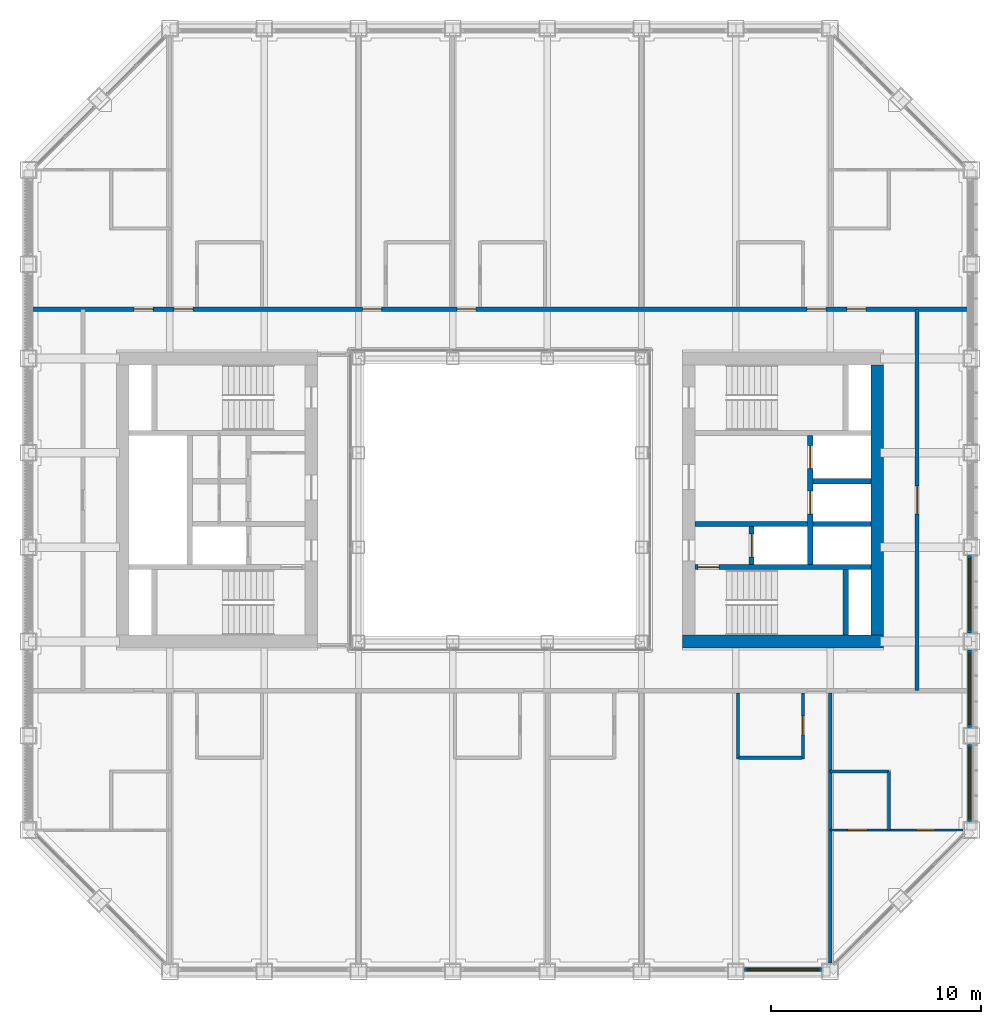
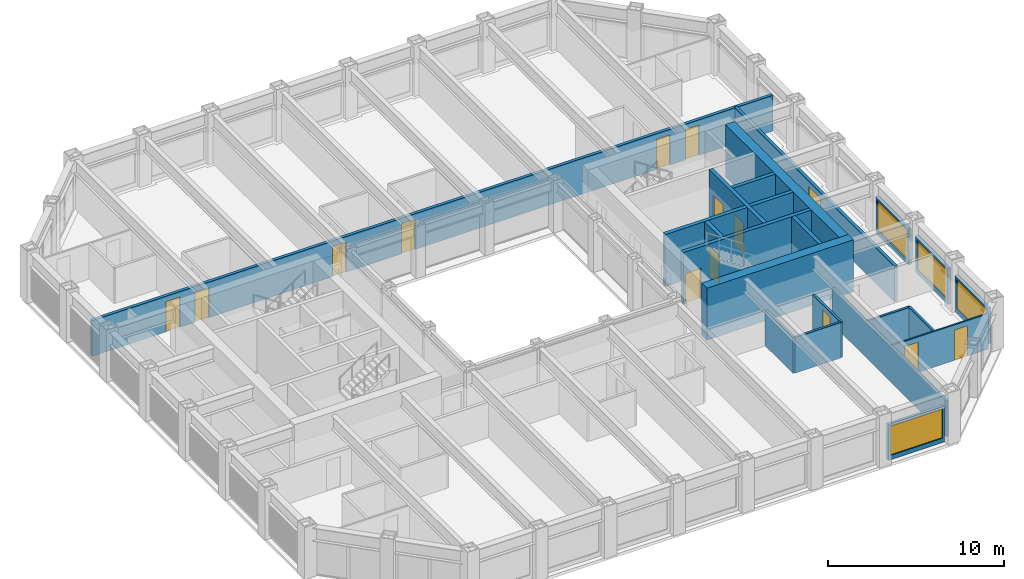
# One storey, part 12 of 17: 22 walls, 14 doors, 4 windows, 18 openings.
"""IFC4 building model written with IfcOpenShell, lengths in metres."""

from ifc_helpers import new_model, si_unit, direction, frame, frame_2d, origin, place, context, subcontext, project, spatial, rectangle, extrude, material, layer, layer_set, type_object, element, fill, save


model = new_model("IFC4")

# Units and contexts
model_context = context("Model", 3, precision=1e-05, world=origin(), true_north=direction((0.0, 1.0)))
body_context = subcontext(model_context, "Body", "Model", "MODEL_VIEW")
ifc_project = project(units=[si_unit("LENGTHUNIT", "METRE"), si_unit("AREAUNIT", "SQUARE_METRE"), si_unit("VOLUMEUNIT", "CUBIC_METRE"), si_unit("PLANEANGLEUNIT", "RADIAN"), si_unit("MASSUNIT", "GRAM", prefix="KILO")], contexts=[model_context])

# Site, building, storey
site_placement = place(None, origin())
site = spatial("IfcSite", under=ifc_project, at=site_placement, CompositionType="ELEMENT")
building_placement = place(site_placement, origin())
building = spatial("IfcBuilding", under=site, at=building_placement, Name="Msasa Ring Tower", CompositionType="ELEMENT")
storey_placement = place(building_placement, frame((0.0, 0.0, 161.60009765625)))
storey = spatial("IfcBuildingStorey", under=building, at=storey_placement, Name="L42", CompositionType="ELEMENT", Elevation=161.60009765625)

# Walls
ifc_material_1 = material(Name="Concrete C60/75", Category="concrete")
ifc_layer_1 = layer(ifc_material_1, 0.60009765625)
ifc_layer_set_1 = layer_set([ifc_layer_1], Name="CW2 CORE WALL 600")
wall_type_1 = type_object("IfcWallType", Name="CW2 CORE WALL 600", PredefinedType="SHEAR", material=ifc_layer_set_1)
wall_1_placement = place(storey_placement, frame((8.699951171875, -6.75, 0.0), z_axis=(0.0, 0.0, 1.0), x_axis=(1.0, 0.0, 0.0)))
element("IfcWall", 1, at=wall_1_placement, inside=storey, type_object=wall_type_1, Name="E core wall S L42", PredefinedType="SHEAR", context=body_context, shape_type="SweptSolid", body=[
    extrude(rectangle(XDim=9.60009765625, YDim=0.60009765625, at=frame_2d((4.800048828125, 0.0))), origin(), (0.0, 0.0, 1.0), 3.599853515625),
])
wall_2_placement = place(storey_placement, frame((18.0, -6.449951171875, 0.0), z_axis=(0.0, 0.0, 1.0), x_axis=(0.0, 1.0, 0.0)))
element("IfcWall", 2, at=wall_2_placement, inside=storey, type_object=wall_type_1, Name="E core wall E L42", PredefinedType="SHEAR", context=body_context, shape_type="SweptSolid", body=[
    extrude(rectangle(XDim=12.89990234375, YDim=0.60009765625, at=frame_2d((6.449951171875, 0.0))), origin(), (0.0, 0.0, 1.0), 3.599853515625),
])

# Wall, opening, door
ifc_material_2 = material(Name="Concrete C60/75", Category="concrete")
ifc_layer_2 = layer(ifc_material_2, 0.25)
ifc_layer_set_2 = layer_set([ifc_layer_2], Name="CW4 CORE INNER WALL 250")
wall_type_2 = type_object("IfcWallType", Name="CW4 CORE INNER WALL 250", PredefinedType="SHEAR", material=ifc_layer_set_2)
wall_3_placement = place(storey_placement, frame((9.300048828125, -3.199951171875, 0.0), z_axis=(0.0, 0.0, 1.0), x_axis=(1.0, 0.0, 0.0)))
wall_3 = element("IfcWall", 3, at=wall_3_placement, inside=storey, type_object=wall_type_2, Name="E core wall STAIRA L42", PredefinedType="SHEAR", context=body_context, shape_type="SweptSolid", body=[
    extrude(rectangle(XDim=8.39990234375, YDim=0.25, at=frame_2d((4.199951171875, 0.0))), origin(), (0.0, 0.0, 1.0), 3.599853515625),
])
opening_1_placement = place(wall_3_placement, frame((0.14990234375, 0.0, 0.0)))
opening_1 = element("IfcOpeningElement", 4, at=opening_1_placement, cuts=wall_3, Name="Opening HE-030", PredefinedType="OPENING", context=body_context, shape_type="SweptSolid", body=[
    extrude(rectangle(XDim=1.0, YDim=2.10009765625, at=frame_2d((0.5, 1.050048828125))), frame((0.0, 0.135009765625, 0.0), z_axis=(0.0, -1.0, 0.0), x_axis=(1.0, 0.0, 0.0)), (0.0, 0.0, 1.0), 0.27001953125),
])
ifc_material_3 = material(Name="Timber door leaf in a steel frame", Category="steel")
door_type_1 = type_object("IfcDoorType", Name="D6 STAIR DOOR 1000x2100", OperationType="SINGLE_SWING_LEFT", PredefinedType="DOOR", material=ifc_material_3)
door_1_placement = place(opening_1_placement, origin())
door_1 = element("IfcDoor", 5, at=door_1_placement, inside=storey, type_object=door_type_1, Name="Door L42-ESTA", OperationType="SINGLE_SWING_LEFT", OverallHeight=2.10009765625, OverallWidth=1.0, PredefinedType="DOOR", context=body_context, shape_type="SweptSolid", body=[
    extrude(rectangle(XDim=1.0, YDim=2.10009765625, at=frame_2d((0.5, 1.050048828125))), frame((0.0, 0.02490234375, 0.0), z_axis=(0.0, -1.0, 0.0), x_axis=(1.0, 0.0, 0.0)), (0.0, 0.0, 1.0), 0.050048828125),
])
fill(opening_1, door_1)

# Walls
wall_4_placement = place(storey_placement, frame((16.5, -6.449951171875, 0.0), z_axis=(0.0, 0.0, 1.0), x_axis=(0.0, 1.0, 0.0)))
element("IfcWall", 6, at=wall_4_placement, inside=storey, type_object=wall_type_2, Name="E core wall RISERA L42", PredefinedType="SHEAR", context=body_context, shape_type="SweptSolid", body=[
    extrude(rectangle(XDim=3.125, YDim=0.25, at=frame_2d((1.5625, 0.0))), origin(), (0.0, 0.0, 1.0), 3.599853515625),
])
wall_5_placement = place(storey_placement, frame((9.300048828125, -1.14990234375, 0.0), z_axis=(0.0, 0.0, 1.0), x_axis=(1.0, 0.0, 0.0)))
element("IfcWall", 7, at=wall_5_placement, inside=storey, type_object=wall_type_2, Name="E core wall FFL L42", PredefinedType="SHEAR", context=body_context, shape_type="SweptSolid", body=[
    extrude(rectangle(XDim=5.375, YDim=0.25, at=frame_2d((2.6875, 0.0))), origin(), (0.0, 0.0, 1.0), 3.599853515625),
])

# Wall, opening, door
wall_6_placement = place(storey_placement, frame((12.0, -3.074951171875, 0.0), z_axis=(0.0, 0.0, 1.0), x_axis=(0.0, 1.0, 0.0)))
wall_6 = element("IfcWall", 8, at=wall_6_placement, inside=storey, type_object=wall_type_2, Name="E core wall LOBBY L42", PredefinedType="SHEAR", context=body_context, shape_type="SweptSolid", body=[
    extrude(rectangle(XDim=1.800048828125, YDim=0.25, at=frame_2d((0.89990234375, 0.0))), origin(), (0.0, 0.0, 1.0), 3.599853515625),
])
opening_2_placement = place(wall_6_placement, frame((0.35009765625, 0.0, 0.0)))
opening_2 = element("IfcOpeningElement", 9, at=opening_2_placement, cuts=wall_6, Name="Opening LD1", PredefinedType="OPENING", context=body_context, shape_type="SweptSolid", body=[
    extrude(rectangle(XDim=1.10009765625, YDim=2.10009765625, at=frame_2d((0.550048828125, 1.050048828125))), frame((0.0, 0.135009765625, 0.0), z_axis=(0.0, -1.0, 0.0), x_axis=(1.0, 0.0, 0.0)), (0.0, 0.0, 1.0), 0.27001953125),
])
ifc_material_4 = material(Name="Stainless steel lift landing door", Category="steel")
door_type_2 = type_object("IfcDoorType", Name="LD1 LIFT LANDING DOOR 1100x2100", OperationType="DOUBLE_DOOR_SLIDING", PredefinedType="DOOR", material=ifc_material_4)
door_2_placement = place(opening_2_placement, origin())
door_2 = element("IfcDoor", 10, at=door_2_placement, inside=storey, type_object=door_type_2, Name="Lift landing door FL-E L42", OperationType="DOUBLE_DOOR_SLIDING", OverallHeight=2.10009765625, OverallWidth=1.10009765625, PredefinedType="DOOR", context=body_context, shape_type="SweptSolid", body=[
    extrude(rectangle(XDim=1.10009765625, YDim=2.10009765625, at=frame_2d((0.550048828125, 1.050048828125))), frame((0.0, 0.02490234375, 0.0), z_axis=(0.0, -1.0, 0.0), x_axis=(1.0, 0.0, 0.0)), (0.0, 0.0, 1.0), 0.050048828125),
])
fill(opening_2, door_2)

# Wall, openings, doors
wall_7_placement = place(storey_placement, frame((14.800048828125, -3.074951171875, 0.0), z_axis=(0.0, 0.0, 1.0), x_axis=(0.0, 1.0, 0.0)))
wall_7 = element("IfcWall", 11, at=wall_7_placement, inside=storey, type_object=wall_type_2, Name="E core wall SHAFT L42", PredefinedType="SHEAR", context=body_context, shape_type="SweptSolid", body=[
    extrude(rectangle(XDim=6.14990234375, YDim=0.25, at=frame_2d((3.074951171875, 0.0))), origin(), (0.0, 0.0, 1.0), 3.599853515625),
])
opening_3_placement = place(wall_7_placement, frame((2.39990234375, 0.0, 0.0)))
opening_3 = element("IfcOpeningElement", 12, at=opening_3_placement, cuts=wall_7, Name="Opening LD1", PredefinedType="OPENING", context=body_context, shape_type="SweptSolid", body=[
    extrude(rectangle(XDim=1.10009765625, YDim=2.10009765625, at=frame_2d((0.550048828125, 1.050048828125))), frame((0.0, 0.135009765625, 0.0), z_axis=(0.0, -1.0, 0.0), x_axis=(1.0, 0.0, 0.0)), (0.0, 0.0, 1.0), 0.27001953125),
])
opening_4_placement = place(wall_7_placement, frame((4.574951171875, 0.0, 0.0)))
opening_4 = element("IfcOpeningElement", 13, at=opening_4_placement, cuts=wall_7, Name="Opening LD1", PredefinedType="OPENING", context=body_context, shape_type="SweptSolid", body=[
    extrude(rectangle(XDim=1.10009765625, YDim=2.10009765625, at=frame_2d((0.550048828125, 1.050048828125))), frame((0.0, 0.135009765625, 0.0), z_axis=(0.0, -1.0, 0.0), x_axis=(1.0, 0.0, 0.0)), (0.0, 0.0, 1.0), 0.27001953125),
])
door_3_placement = place(opening_3_placement, origin())
door_3 = element("IfcDoor", 14, at=door_3_placement, inside=storey, type_object=door_type_2, Name="Lift landing door PL-H1 L42", OperationType="DOUBLE_DOOR_SLIDING", OverallHeight=2.10009765625, OverallWidth=1.10009765625, PredefinedType="DOOR", context=body_context, shape_type="SweptSolid", body=[
    extrude(rectangle(XDim=1.10009765625, YDim=2.10009765625, at=frame_2d((0.550048828125, 1.050048828125))), frame((0.0, 0.02490234375, 0.0), z_axis=(0.0, -1.0, 0.0), x_axis=(1.0, 0.0, 0.0)), (0.0, 0.0, 1.0), 0.050048828125),
])
fill(opening_3, door_3)
door_4_placement = place(opening_4_placement, origin())
door_4 = element("IfcDoor", 15, at=door_4_placement, inside=storey, type_object=door_type_2, Name="Lift landing door PL-H2 L42", OperationType="DOUBLE_DOOR_SLIDING", OverallHeight=2.10009765625, OverallWidth=1.10009765625, PredefinedType="DOOR", context=body_context, shape_type="SweptSolid", body=[
    extrude(rectangle(XDim=1.10009765625, YDim=2.10009765625, at=frame_2d((0.550048828125, 1.050048828125))), frame((0.0, 0.02490234375, 0.0), z_axis=(0.0, -1.0, 0.0), x_axis=(1.0, 0.0, 0.0)), (0.0, 0.0, 1.0), 0.050048828125),
])
fill(opening_4, door_4)

# Walls
for number, where, z_axis, x_axis, name in (
    (16, (14.925048828125, -1.14990234375, 0.0), (0.0, 0.0, 1.0), (1.0, 0.0, 0.0), "E core wall HSEP L42"),
    (17, (14.925048828125, 0.89990234375, 0.0), (0.0, 0.0, 1.0), (1.0, 0.0, 0.0), "E core wall HLIFT L42"),
):
    element("IfcWall", number, at=place(storey_placement, frame(where, z_axis=z_axis, x_axis=x_axis)), inside=storey, type_object=wall_type_2, Name=name, PredefinedType="SHEAR", context=body_context, shape_type="SweptSolid", body=[
        extrude(rectangle(XDim=2.77490234375, YDim=0.25, at=frame_2d((1.387451171875, 0.0))), origin(), (0.0, 0.0, 1.0), 3.599853515625),
    ])

# Wall, opening, window
ifc_material_5 = material(Name="Terracotta rainscreen on blockwork", Category="masonry")
ifc_layer_3 = layer(ifc_material_5, 0.199951171875)
ifc_layer_set_3 = layer_set([ifc_layer_3], Name="FW1 TERRACOTTA-LINED INFILL BAY WALL 200")
wall_type_3 = type_object("IfcWallType", Name="FW1 TERRACOTTA-LINED INFILL BAY WALL 200", PredefinedType="SOLIDWALL", material=ifc_layer_set_3)
wall_8_placement = place(storey_placement, frame((11.655029296875, -22.39990234375, 0.0), z_axis=(0.0, 0.0, 1.0), x_axis=(1.0, 0.0, 0.0)))
wall_8 = element("IfcWall", 18, at=wall_8_placement, inside=storey, type_object=wall_type_3, Name="Infill bay wall S L42 06", PredefinedType="SOLIDWALL", context=body_context, shape_type="SweptSolid", body=[
    extrude(rectangle(XDim=3.68994140625, YDim=0.199951171875, at=frame_2d((1.844970703125, 0.0))), origin(), (0.0, 0.0, 1.0), 2.47900390625),
])
opening_5_placement = place(wall_8_placement, frame((0.14501953125, 0.0, 0.300048828125)))
opening_5 = element("IfcOpeningElement", 19, at=opening_5_placement, cuts=wall_8, Name="Opening WN2", PredefinedType="OPENING", context=body_context, shape_type="SweptSolid", body=[
    extrude(rectangle(XDim=3.39990234375, YDim=2.029052734375, at=frame_2d((1.699951171875, 1.0146484375))), frame((0.0, 0.10986328125, 0.0), z_axis=(0.0, -1.0, 0.0), x_axis=(1.0, 0.0, 0.0)), (0.0, 0.0, 1.0), 0.219970703125),
])
ifc_material_6 = material(Name="Aluminium frame with clear glass", Category="aluminium")
window_type = type_object("IfcWindowType", Name="WN2 GUEST ROOM WINDOW 3400x2029", PartitioningType="SINGLE_PANEL", PredefinedType="WINDOW", material=ifc_material_6)
window_1_placement = place(opening_5_placement, origin())
window_1 = element("IfcWindow", 20, at=window_1_placement, inside=storey, type_object=window_type, Name="Window S L42 06", OverallHeight=2.029052734375, OverallWidth=3.39990234375, PartitioningType="SINGLE_PANEL", PredefinedType="WINDOW", context=body_context, shape_type="SweptSolid", body=[
    extrude(rectangle(XDim=3.39990234375, YDim=2.029052734375, at=frame_2d((1.699951171875, 1.0146484375))), frame((0.0, 0.030029296875, 0.0), z_axis=(0.0, -1.0, 0.0), x_axis=(1.0, 0.0, 0.0)), (0.0, 0.0, 1.0), 0.06005859375),
])
fill(opening_5, window_1)

wall_9_placement = place(storey_placement, frame((22.39990234375, -15.344970703125, 0.0), z_axis=(0.0, 0.0, 1.0), x_axis=(0.0, 1.0, 0.0)))
wall_9 = element("IfcWall", 21, at=wall_9_placement, inside=storey, type_object=wall_type_3, Name="Infill bay wall E L42 09", PredefinedType="SOLIDWALL", context=body_context, shape_type="SweptSolid", body=[
    extrude(rectangle(XDim=3.68994140625, YDim=0.199951171875, at=frame_2d((1.844970703125, 0.0))), origin(), (0.0, 0.0, 1.0), 2.47900390625),
])
opening_6_placement = place(wall_9_placement, frame((0.14501953125, 0.0, 0.300048828125)))
opening_6 = element("IfcOpeningElement", 22, at=opening_6_placement, cuts=wall_9, Name="Opening WN2", PredefinedType="OPENING", context=body_context, shape_type="SweptSolid", body=[
    extrude(rectangle(XDim=3.39990234375, YDim=2.029052734375, at=frame_2d((1.699951171875, 1.0146484375))), frame((0.0, 0.10986328125, 0.0), z_axis=(0.0, -1.0, 0.0), x_axis=(1.0, 0.0, 0.0)), (0.0, 0.0, 1.0), 0.219970703125),
])
window_2_placement = place(opening_6_placement, origin())
window_2 = element("IfcWindow", 23, at=window_2_placement, inside=storey, type_object=window_type, Name="Window E L42 09", OverallHeight=2.029052734375, OverallWidth=3.39990234375, PartitioningType="SINGLE_PANEL", PredefinedType="WINDOW", context=body_context, shape_type="SweptSolid", body=[
    extrude(rectangle(XDim=3.39990234375, YDim=2.029052734375, at=frame_2d((1.699951171875, 1.0146484375))), frame((0.0, 0.030029296875, 0.0), z_axis=(0.0, -1.0, 0.0), x_axis=(1.0, 0.0, 0.0)), (0.0, 0.0, 1.0), 0.06005859375),
])
fill(opening_6, window_2)

wall_10_placement = place(storey_placement, frame((22.39990234375, -10.844970703125, 0.0), z_axis=(0.0, 0.0, 1.0), x_axis=(0.0, 1.0, 0.0)))
wall_10 = element("IfcWall", 24, at=wall_10_placement, inside=storey, type_object=wall_type_3, Name="Infill bay wall E L42 10", PredefinedType="SOLIDWALL", context=body_context, shape_type="SweptSolid", body=[
    extrude(rectangle(XDim=3.68994140625, YDim=0.199951171875, at=frame_2d((1.844970703125, 0.0))), origin(), (0.0, 0.0, 1.0), 2.47900390625),
])
opening_7_placement = place(wall_10_placement, frame((0.14501953125, 0.0, 0.300048828125)))
opening_7 = element("IfcOpeningElement", 25, at=opening_7_placement, cuts=wall_10, Name="Opening WN2", PredefinedType="OPENING", context=body_context, shape_type="SweptSolid", body=[
    extrude(rectangle(XDim=3.39990234375, YDim=2.029052734375, at=frame_2d((1.699951171875, 1.0146484375))), frame((0.0, 0.10986328125, 0.0), z_axis=(0.0, -1.0, 0.0), x_axis=(1.0, 0.0, 0.0)), (0.0, 0.0, 1.0), 0.219970703125),
])
window_3_placement = place(opening_7_placement, origin())
window_3 = element("IfcWindow", 26, at=window_3_placement, inside=storey, type_object=window_type, Name="Window E L42 10", OverallHeight=2.029052734375, OverallWidth=3.39990234375, PartitioningType="SINGLE_PANEL", PredefinedType="WINDOW", context=body_context, shape_type="SweptSolid", body=[
    extrude(rectangle(XDim=3.39990234375, YDim=2.029052734375, at=frame_2d((1.699951171875, 1.0146484375))), frame((0.0, 0.030029296875, 0.0), z_axis=(0.0, -1.0, 0.0), x_axis=(1.0, 0.0, 0.0)), (0.0, 0.0, 1.0), 0.06005859375),
])
fill(opening_7, window_3)

wall_11_placement = place(storey_placement, frame((22.39990234375, -6.344970703125, 0.0), z_axis=(0.0, 0.0, 1.0), x_axis=(0.0, 1.0, 0.0)))
wall_11 = element("IfcWall", 27, at=wall_11_placement, inside=storey, type_object=wall_type_3, Name="Infill bay wall E L42 11", PredefinedType="SOLIDWALL", context=body_context, shape_type="SweptSolid", body=[
    extrude(rectangle(XDim=3.68994140625, YDim=0.199951171875, at=frame_2d((1.844970703125, 0.0))), origin(), (0.0, 0.0, 1.0), 2.47900390625),
])
opening_8_placement = place(wall_11_placement, frame((0.14501953125, 0.0, 0.300048828125)))
opening_8 = element("IfcOpeningElement", 28, at=opening_8_placement, cuts=wall_11, Name="Opening WN2", PredefinedType="OPENING", context=body_context, shape_type="SweptSolid", body=[
    extrude(rectangle(XDim=3.39990234375, YDim=2.029052734375, at=frame_2d((1.699951171875, 1.0146484375))), frame((0.0, 0.10986328125, 0.0), z_axis=(0.0, -1.0, 0.0), x_axis=(1.0, 0.0, 0.0)), (0.0, 0.0, 1.0), 0.219970703125),
])
window_4_placement = place(opening_8_placement, origin())
window_4 = element("IfcWindow", 29, at=window_4_placement, inside=storey, type_object=window_type, Name="Window E L42 11", OverallHeight=2.029052734375, OverallWidth=3.39990234375, PartitioningType="SINGLE_PANEL", PredefinedType="WINDOW", context=body_context, shape_type="SweptSolid", body=[
    extrude(rectangle(XDim=3.39990234375, YDim=2.029052734375, at=frame_2d((1.699951171875, 1.0146484375))), frame((0.0, 0.030029296875, 0.0), z_axis=(0.0, -1.0, 0.0), x_axis=(1.0, 0.0, 0.0)), (0.0, 0.0, 1.0), 0.06005859375),
])
fill(opening_8, window_4)

# Wall, openings, doors
ifc_material_7 = material(Name="Concrete blockwork", Category="masonry")
ifc_layer_4 = layer(ifc_material_7, 0.199951171875)
ifc_layer_set_4 = layer_set([ifc_layer_4], Name="PT1 CORRIDOR WALL 200")
wall_type_4 = type_object("IfcWallType", Name="PT1 CORRIDOR WALL 200", PredefinedType="PARTITIONING", material=ifc_layer_set_4)
wall_12_placement = place(storey_placement, frame((-22.300048828125, 9.10009765625, 0.0), z_axis=(0.0, 0.0, 1.0), x_axis=(1.0, 0.0, 0.0)))
wall_12 = element("IfcWall", 30, at=wall_12_placement, inside=storey, type_object=wall_type_4, Name="Corridor wall L42-CORRN0", PredefinedType="PARTITIONING", context=body_context, shape_type="SweptSolid", body=[
    extrude(rectangle(XDim=44.60009765625, YDim=0.199951171875, at=frame_2d((22.300048828125, 0.0))), origin(), (0.0, 0.0, 1.0), 2.473388671875),
])
opening_9_placement = place(wall_12_placement, frame((6.75, 0.0, 0.0)))
opening_9 = element("IfcOpeningElement", 31, at=opening_9_placement, cuts=wall_12, Name="Opening HE-010", PredefinedType="OPENING", context=body_context, shape_type="SweptSolid", body=[
    extrude(rectangle(XDim=0.89990234375, YDim=2.10009765625, at=frame_2d((0.449951171875, 1.050048828125))), frame((0.0, 0.10986328125, 0.0), z_axis=(0.0, -1.0, 0.0), x_axis=(1.0, 0.0, 0.0)), (0.0, 0.0, 1.0), 0.219970703125),
])
opening_10_placement = place(wall_12_placement, frame((15.75, 0.0, 0.0)))
opening_10 = element("IfcOpeningElement", 32, at=opening_10_placement, cuts=wall_12, Name="Opening HE-011", PredefinedType="OPENING", context=body_context, shape_type="SweptSolid", body=[
    extrude(rectangle(XDim=0.89990234375, YDim=2.10009765625, at=frame_2d((0.449951171875, 1.050048828125))), frame((0.0, 0.10986328125, 0.0), z_axis=(0.0, -1.0, 0.0), x_axis=(1.0, 0.0, 0.0)), (0.0, 0.0, 1.0), 0.219970703125),
])
opening_11_placement = place(wall_12_placement, frame((20.25, 0.0, 0.0)))
opening_11 = element("IfcOpeningElement", 33, at=opening_11_placement, cuts=wall_12, Name="Opening HE-012", PredefinedType="OPENING", context=body_context, shape_type="SweptSolid", body=[
    extrude(rectangle(XDim=0.89990234375, YDim=2.10009765625, at=frame_2d((0.449951171875, 1.050048828125))), frame((0.0, 0.10986328125, 0.0), z_axis=(0.0, -1.0, 0.0), x_axis=(1.0, 0.0, 0.0)), (0.0, 0.0, 1.0), 0.219970703125),
])
opening_12_placement = place(wall_12_placement, frame((36.949951171875, 0.0, 0.0)))
opening_12 = element("IfcOpeningElement", 34, at=opening_12_placement, cuts=wall_12, Name="Opening HE-013", PredefinedType="OPENING", context=body_context, shape_type="SweptSolid", body=[
    extrude(rectangle(XDim=0.89990234375, YDim=2.10009765625, at=frame_2d((0.449951171875, 1.050048828125))), frame((0.0, 0.10986328125, 0.0), z_axis=(0.0, -1.0, 0.0), x_axis=(1.0, 0.0, 0.0)), (0.0, 0.0, 1.0), 0.219970703125),
])
opening_13_placement = place(wall_12_placement, frame((38.85009765625, 0.0, 0.0)))
opening_13 = element("IfcOpeningElement", 35, at=opening_13_placement, cuts=wall_12, Name="Opening HE-014", PredefinedType="OPENING", context=body_context, shape_type="SweptSolid", body=[
    extrude(rectangle(XDim=0.89990234375, YDim=2.10009765625, at=frame_2d((0.449951171875, 1.050048828125))), frame((0.0, 0.10986328125, 0.0), z_axis=(0.0, -1.0, 0.0), x_axis=(1.0, 0.0, 0.0)), (0.0, 0.0, 1.0), 0.219970703125),
])
opening_14_placement = place(wall_12_placement, frame((4.85009765625, 0.0, 0.0)))
opening_14 = element("IfcOpeningElement", 36, at=opening_14_placement, cuts=wall_12, Name="Opening HE-009", PredefinedType="OPENING", context=body_context, shape_type="SweptSolid", body=[
    extrude(rectangle(XDim=0.89990234375, YDim=2.10009765625, at=frame_2d((0.449951171875, 1.050048828125))), frame((0.0, 0.10986328125, 0.0), z_axis=(0.0, -1.0, 0.0), x_axis=(1.0, 0.0, 0.0)), (0.0, 0.0, 1.0), 0.219970703125),
])
ifc_material_8 = material(Name="Timber door leaf in a steel frame", Category="steel")
door_type_3 = type_object("IfcDoorType", Name="D1 SINGLE DOOR TO CORRIDOR 900x2100", OperationType="SINGLE_SWING_LEFT", PredefinedType="DOOR", material=ifc_material_8)
door_5_placement = place(opening_9_placement, origin())
door_5 = element("IfcDoor", 37, at=door_5_placement, inside=storey, type_object=door_type_3, Name="Door L42-GN00", OperationType="SINGLE_SWING_LEFT", OverallHeight=2.10009765625, OverallWidth=0.89990234375, PredefinedType="DOOR", context=body_context, shape_type="SweptSolid", body=[
    extrude(rectangle(XDim=0.89990234375, YDim=2.10009765625, at=frame_2d((0.449951171875, 1.050048828125))), frame((0.0, 0.02490234375, 0.0), z_axis=(0.0, -1.0, 0.0), x_axis=(1.0, 0.0, 0.0)), (0.0, 0.0, 1.0), 0.050048828125),
])
fill(opening_9, door_5)
door_6_placement = place(opening_10_placement, origin())
door_6 = element("IfcDoor", 38, at=door_6_placement, inside=storey, type_object=door_type_3, Name="Door L42-GN01", OperationType="SINGLE_SWING_LEFT", OverallHeight=2.10009765625, OverallWidth=0.89990234375, PredefinedType="DOOR", context=body_context, shape_type="SweptSolid", body=[
    extrude(rectangle(XDim=0.89990234375, YDim=2.10009765625, at=frame_2d((0.449951171875, 1.050048828125))), frame((0.0, 0.02490234375, 0.0), z_axis=(0.0, -1.0, 0.0), x_axis=(1.0, 0.0, 0.0)), (0.0, 0.0, 1.0), 0.050048828125),
])
fill(opening_10, door_6)
door_7_placement = place(opening_11_placement, origin())
door_7 = element("IfcDoor", 39, at=door_7_placement, inside=storey, type_object=door_type_3, Name="Door L42-GN02", OperationType="SINGLE_SWING_LEFT", OverallHeight=2.10009765625, OverallWidth=0.89990234375, PredefinedType="DOOR", context=body_context, shape_type="SweptSolid", body=[
    extrude(rectangle(XDim=0.89990234375, YDim=2.10009765625, at=frame_2d((0.449951171875, 1.050048828125))), frame((0.0, 0.02490234375, 0.0), z_axis=(0.0, -1.0, 0.0), x_axis=(1.0, 0.0, 0.0)), (0.0, 0.0, 1.0), 0.050048828125),
])
fill(opening_11, door_7)
door_8_placement = place(opening_12_placement, origin())
door_8 = element("IfcDoor", 40, at=door_8_placement, inside=storey, type_object=door_type_3, Name="Door L42-GN03", OperationType="SINGLE_SWING_RIGHT", OverallHeight=2.10009765625, OverallWidth=0.89990234375, PredefinedType="DOOR", context=body_context, shape_type="SweptSolid", body=[
    extrude(rectangle(XDim=0.89990234375, YDim=2.10009765625, at=frame_2d((0.449951171875, 1.050048828125))), frame((0.0, 0.02490234375, 0.0), z_axis=(0.0, -1.0, 0.0), x_axis=(1.0, 0.0, 0.0)), (0.0, 0.0, 1.0), 0.050048828125),
])
fill(opening_12, door_8)
ifc_material_9 = material(Name="Timber door leaf in a steel frame", Category="steel")
door_type_4 = type_object("IfcDoorType", Name="D2 ENTRANCE DOOR 900x2100", OperationType="SINGLE_SWING_LEFT", PredefinedType="DOOR", material=ifc_material_9)
door_9_placement = place(opening_13_placement, origin())
door_9 = element("IfcDoor", 41, at=door_9_placement, inside=storey, type_object=door_type_4, Name="Door L42-CSNE", OperationType="SINGLE_SWING_RIGHT", OverallHeight=2.10009765625, OverallWidth=0.89990234375, PredefinedType="DOOR", context=body_context, shape_type="SweptSolid", body=[
    extrude(rectangle(XDim=0.89990234375, YDim=2.10009765625, at=frame_2d((0.449951171875, 1.050048828125))), frame((0.0, 0.02490234375, 0.0), z_axis=(0.0, -1.0, 0.0), x_axis=(1.0, 0.0, 0.0)), (0.0, 0.0, 1.0), 0.050048828125),
])
fill(opening_13, door_9)
door_10_placement = place(opening_14_placement, origin())
door_10 = element("IfcDoor", 42, at=door_10_placement, inside=storey, type_object=door_type_4, Name="Door L42-CSNW", OperationType="SINGLE_SWING_LEFT", OverallHeight=2.10009765625, OverallWidth=0.89990234375, PredefinedType="DOOR", context=body_context, shape_type="SweptSolid", body=[
    extrude(rectangle(XDim=0.89990234375, YDim=2.10009765625, at=frame_2d((0.449951171875, 1.050048828125))), frame((0.0, 0.02490234375, 0.0), z_axis=(0.0, -1.0, 0.0), x_axis=(1.0, 0.0, 0.0)), (0.0, 0.0, 1.0), 0.050048828125),
])
fill(opening_14, door_10)

# Wall, opening, door
wall_13_placement = place(storey_placement, frame((19.89990234375, -9.10009765625, 0.0), z_axis=(0.0, 0.0, 1.0), x_axis=(0.0, 1.0, 0.0)))
wall_13 = element("IfcWall", 43, at=wall_13_placement, inside=storey, type_object=wall_type_4, Name="Corridor wall L42-STRE", PredefinedType="PARTITIONING", context=body_context, shape_type="SweptSolid", body=[
    extrude(rectangle(XDim=18.2001953125, YDim=0.199951171875, at=frame_2d((9.10009765625, 0.0))), origin(), (0.0, 0.0, 1.0), 2.473388671875),
])
opening_15_placement = place(wall_13_placement, frame((8.425048828125, 0.0, 0.0)))
opening_15 = element("IfcOpeningElement", 44, at=opening_15_placement, cuts=wall_13, Name="Opening HE-024", PredefinedType="OPENING", context=body_context, shape_type="SweptSolid", body=[
    extrude(rectangle(XDim=1.35009765625, YDim=2.10009765625, at=frame_2d((0.675048828125, 1.050048828125))), frame((0.0, 0.10986328125, 0.0), z_axis=(0.0, -1.0, 0.0), x_axis=(1.0, 0.0, 0.0)), (0.0, 0.0, 1.0), 0.219970703125),
])
ifc_material_10 = material(Name="Timber door leaf in a steel frame", Category="steel")
door_type_5 = type_object("IfcDoorType", Name="D23 HOUSEKEEPING UNEQUAL PAIR OF DOORS 1350x2100", OperationType="SINGLE_SWING_LEFT", PredefinedType="DOOR", material=ifc_material_10)
door_11_placement = place(opening_15_placement, origin())
door_11 = element("IfcDoor", 45, at=door_11_placement, inside=storey, type_object=door_type_5, Name="Door L42-HKE", OperationType="SINGLE_SWING_LEFT", OverallHeight=2.10009765625, OverallWidth=1.35009765625, PredefinedType="DOOR", context=body_context, shape_type="SweptSolid", body=[
    extrude(rectangle(XDim=1.35009765625, YDim=2.10009765625, at=frame_2d((0.675048828125, 1.050048828125))), frame((0.0, 0.02490234375, 0.0), z_axis=(0.0, -1.0, 0.0), x_axis=(1.0, 0.0, 0.0)), (0.0, 0.0, 1.0), 0.050048828125),
])
fill(opening_15, door_11)

# Wall, openings, doors
ifc_material_11 = material(Name="Gypsum board on steel studs", Category="steel")
ifc_layer_5 = layer(ifc_material_11, 0.10009765625)
ifc_layer_set_5 = layer_set([ifc_layer_5], Name="PT2 STUD PARTITION 100")
wall_type_5 = type_object("IfcWallType", Name="PT2 STUD PARTITION 100", PredefinedType="PARTITIONING", material=ifc_layer_set_5)
wall_14_placement = place(storey_placement, frame((15.75, -15.75, 0.0), z_axis=(0.0, 0.0, 1.0), x_axis=(1.0, 0.0, 0.0)))
wall_14 = element("IfcWall", 46, at=wall_14_placement, inside=storey, type_object=wall_type_5, Name="Partition L42-CSSEX", PredefinedType="PARTITIONING", context=body_context, shape_type="SweptSolid", body=[
    extrude(rectangle(XDim=6.35009765625, YDim=0.10009765625, at=frame_2d((3.175048828125, 0.0))), origin(), (0.0, 0.0, 1.0), 2.473388671875),
])
opening_16_placement = place(wall_14_placement, frame((4.125, 0.0, 0.0)))
opening_16 = element("IfcOpeningElement", 47, at=opening_16_placement, cuts=wall_14, Name="Opening HE-045", PredefinedType="OPENING", context=body_context, shape_type="SweptSolid", body=[
    extrude(rectangle(XDim=0.85009765625, YDim=2.10009765625, at=frame_2d((0.425048828125, 1.050048828125))), frame((0.0, 0.06005859375, 0.0), z_axis=(0.0, -1.0, 0.0), x_axis=(1.0, 0.0, 0.0)), (0.0, 0.0, 1.0), 0.1201171875),
])
opening_17_placement = place(wall_14_placement, frame((0.85009765625, 0.0, 0.0)))
opening_17 = element("IfcOpeningElement", 48, at=opening_17_placement, cuts=wall_14, Name="Opening HE-044", PredefinedType="OPENING", context=body_context, shape_type="SweptSolid", body=[
    extrude(rectangle(XDim=0.89990234375, YDim=2.10009765625, at=frame_2d((0.449951171875, 1.050048828125))), frame((0.0, 0.06005859375, 0.0), z_axis=(0.0, -1.0, 0.0), x_axis=(1.0, 0.0, 0.0)), (0.0, 0.0, 1.0), 0.1201171875),
])
ifc_material_12 = material(Name="Timber door leaf in a steel frame", Category="steel")
door_type_6 = type_object("IfcDoorType", Name="D14 BEDROOM DOOR 850x2100", OperationType="SINGLE_SWING_LEFT", PredefinedType="DOOR", material=ifc_material_12)
door_12_placement = place(opening_16_placement, origin())
door_12 = element("IfcDoor", 49, at=door_12_placement, inside=storey, type_object=door_type_6, Name="Door L42-CSSER1", OperationType="SINGLE_SWING_RIGHT", OverallHeight=2.10009765625, OverallWidth=0.85009765625, PredefinedType="DOOR", context=body_context, shape_type="SweptSolid", body=[
    extrude(rectangle(XDim=0.85009765625, YDim=2.10009765625, at=frame_2d((0.425048828125, 1.050048828125))), frame((0.0, 0.02490234375, 0.0), z_axis=(0.0, -1.0, 0.0), x_axis=(1.0, 0.0, 0.0)), (0.0, 0.0, 1.0), 0.050048828125),
])
fill(opening_16, door_12)
ifc_material_13 = material(Name="Timber door leaf in a steel frame", Category="steel")
door_type_7 = type_object("IfcDoorType", Name="D3 BATHROOM DOOR 900x2100", OperationType="SINGLE_SWING_LEFT", PredefinedType="DOOR", material=ifc_material_13)
door_13_placement = place(opening_17_placement, origin())
door_13 = element("IfcDoor", 50, at=door_13_placement, inside=storey, type_object=door_type_7, Name="Door L42-CSSEB1", OperationType="SINGLE_SWING_LEFT", OverallHeight=2.10009765625, OverallWidth=0.89990234375, PredefinedType="DOOR", context=body_context, shape_type="SweptSolid", body=[
    extrude(rectangle(XDim=0.89990234375, YDim=2.10009765625, at=frame_2d((0.449951171875, 1.050048828125))), frame((0.0, 0.02490234375, 0.0), z_axis=(0.0, -1.0, 0.0), x_axis=(1.0, 0.0, 0.0)), (0.0, 0.0, 1.0), 0.050048828125),
])
fill(opening_17, door_13)

# Wall, opening, door
ifc_material_14 = material(Name="Moisture-resistant board on steel studs with a concealed cistern and pipe void, tiled", Category="steel")
ifc_layer_6 = layer(ifc_material_14, 0.14990234375)
ifc_layer_set_6 = layer_set([ifc_layer_6], Name="PT4 BATHROOM WET WALL 150")
wall_type_6 = type_object("IfcWallType", Name="PT4 BATHROOM WET WALL 150", PredefinedType="PARTITIONING", material=ifc_layer_set_6)
wall_15_placement = place(storey_placement, frame((14.449951171875, -12.35009765625, 0.0), z_axis=(0.0, 0.0, 1.0), x_axis=(0.0, 1.0, 0.0)))
wall_15 = element("IfcWall", 51, at=wall_15_placement, inside=storey, type_object=wall_type_6, Name="Partition L42-GS03BX", PredefinedType="PARTITIONING", context=body_context, shape_type="SweptSolid", body=[
    extrude(rectangle(XDim=3.150146484375, YDim=0.14990234375, at=frame_2d((1.5751953125, 0.0))), origin(), (0.0, 0.0, 1.0), 2.473388671875),
])
opening_18_placement = place(wall_15_placement, frame((1.14990234375, 0.0, 0.0)))
opening_18 = element("IfcOpeningElement", 52, at=opening_18_placement, cuts=wall_15, Name="Opening HE-041", PredefinedType="OPENING", context=body_context, shape_type="SweptSolid", body=[
    extrude(rectangle(XDim=0.89990234375, YDim=2.10009765625, at=frame_2d((0.449951171875, 1.050048828125))), frame((0.0, 0.0849609375, 0.0), z_axis=(0.0, -1.0, 0.0), x_axis=(1.0, 0.0, 0.0)), (0.0, 0.0, 1.0), 0.169921875),
])
door_14_placement = place(opening_18_placement, origin())
door_14 = element("IfcDoor", 53, at=door_14_placement, inside=storey, type_object=door_type_7, Name="Door L42-GS03B", OperationType="SINGLE_SWING_LEFT", OverallHeight=2.10009765625, OverallWidth=0.89990234375, PredefinedType="DOOR", context=body_context, shape_type="SweptSolid", body=[
    extrude(rectangle(XDim=0.89990234375, YDim=2.10009765625, at=frame_2d((0.449951171875, 1.050048828125))), frame((0.0, 0.02490234375, 0.0), z_axis=(0.0, -1.0, 0.0), x_axis=(1.0, 0.0, 0.0)), (0.0, 0.0, 1.0), 0.050048828125),
])
fill(opening_18, door_14)

# Walls
wall_16_placement = place(storey_placement, frame((11.35009765625, -12.35009765625, 0.0), z_axis=(0.0, 0.0, 1.0), x_axis=(0.0, 1.0, 0.0)))
element("IfcWall", 54, at=wall_16_placement, inside=storey, type_object=wall_type_6, Name="Partition L42-GS03BF", PredefinedType="PARTITIONING", context=body_context, shape_type="SweptSolid", body=[
    extrude(rectangle(XDim=3.150146484375, YDim=0.14990234375, at=frame_2d((1.5751953125, 0.0))), origin(), (0.0, 0.0, 1.0), 2.473388671875),
])
wall_17_placement = place(storey_placement, frame((11.39990234375, -12.300048828125, 0.0), z_axis=(0.0, 0.0, 1.0), x_axis=(1.0, 0.0, 0.0)))
element("IfcWall", 55, at=wall_17_placement, inside=storey, type_object=wall_type_6, Name="Partition L42-GS03BY", PredefinedType="PARTITIONING", context=body_context, shape_type="SweptSolid", body=[
    extrude(rectangle(XDim=3.0, YDim=0.14990234375, at=frame_2d((1.5, 0.0))), origin(), (0.0, 0.0, 1.0), 2.473388671875),
])
for number, where, z_axis, x_axis, name in (
    (56, (18.550048828125, -15.75, 0.0), (0.0, 0.0, 1.0), (0.0, 1.0, 0.0), "Partition L42-CSSEBX"),
    (57, (15.75, -12.949951171875, 0.0), (0.0, 0.0, 1.0), (1.0, 0.0, 0.0), "Partition L42-CSSEBY"),
):
    element("IfcWall", number, at=place(storey_placement, frame(where, z_axis=z_axis, x_axis=x_axis)), inside=storey, type_object=wall_type_6, Name=name, PredefinedType="PARTITIONING", context=body_context, shape_type="SweptSolid", body=[
        extrude(rectangle(XDim=2.800048828125, YDim=0.14990234375, at=frame_2d((1.39990234375, 0.0))), origin(), (0.0, 0.0, 1.0), 2.473388671875),
    ])
ifc_material_15 = material(Name="Twin steel studs, two layers of acoustic board each face, mineral wool", Category="steel")
ifc_layer_7 = layer(ifc_material_15, 0.175048828125)
ifc_layer_set_7 = layer_set([ifc_layer_7], Name="PT5 GUEST ROOM SEPARATING WALL 175")
wall_type_7 = type_object("IfcWallType", Name="PT5 GUEST ROOM SEPARATING WALL 175", PredefinedType="PARTITIONING", material=ifc_layer_set_7)
wall_18_placement = place(storey_placement, frame((15.75, -22.10009765625, 0.0), z_axis=(0.0, 0.0, 1.0), x_axis=(0.0, 1.0, 0.0)))
element("IfcWall", 58, at=wall_18_placement, inside=storey, type_object=wall_type_7, Name="Partition L42-PWS+15.75", PredefinedType="PARTITIONING", context=body_context, shape_type="SweptSolid", body=[
    extrude(rectangle(XDim=12.900146484375, YDim=0.175048828125, at=frame_2d((6.4501953125, 0.0))), origin(), (0.0, 0.0, 1.0), 2.473388671875),
])

save(model, "model.ifc")
